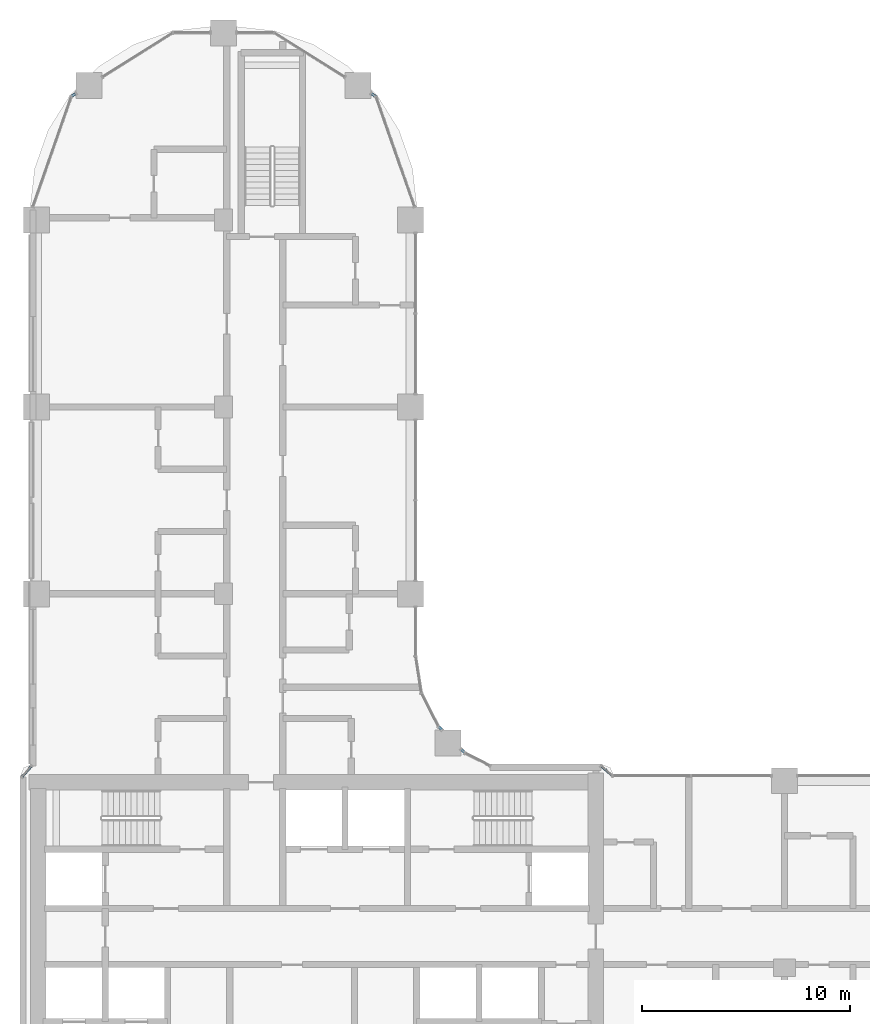
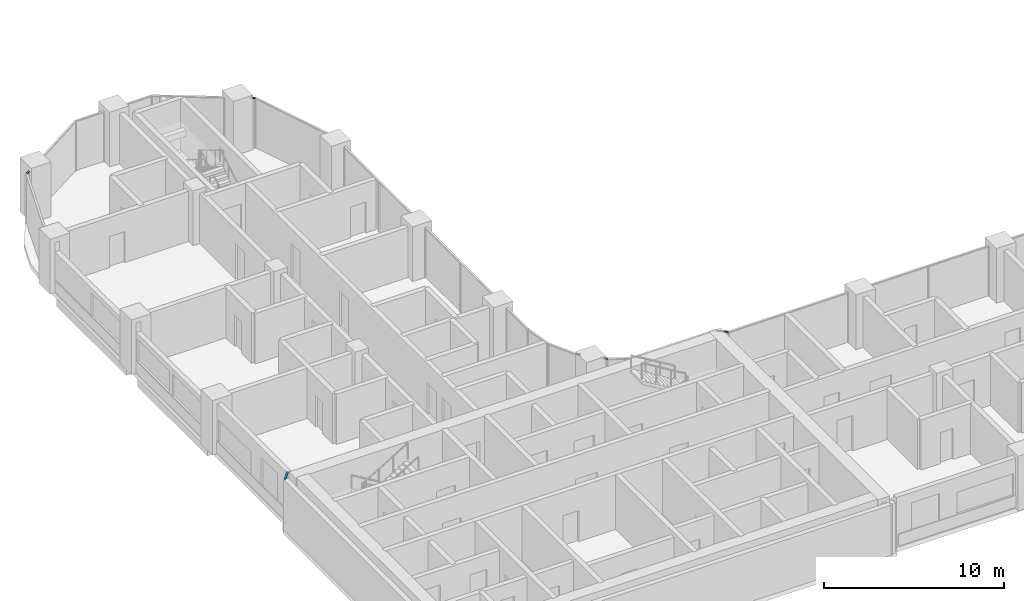
# One storey, part 10 of 33: 6 members, 6 elements without a shape of their own.
"""IFC4 building model written with IfcOpenShell, lengths in metres."""

from ifc_helpers import new_model, si_unit, direction, frame, origin, origin_2d, place, context, subcontext, project, spatial, rectangle, extrude, material, material_profile, profile_set, type_object, element, aggregate, save


model = new_model("IFC4")

# Units and contexts
model_context = context("Model", 3, precision=1e-05, world=origin(), true_north=direction((0.0, 1.0)))
body_context = subcontext(model_context, "Body", "Model", "MODEL_VIEW")
ifc_project = project(units=[si_unit("LENGTHUNIT", "METRE"), si_unit("AREAUNIT", "SQUARE_METRE"), si_unit("VOLUMEUNIT", "CUBIC_METRE"), si_unit("PLANEANGLEUNIT", "RADIAN"), si_unit("MASSUNIT", "GRAM", prefix="KILO")], contexts=[model_context])

# Site, building, storey
site_placement = place(None, origin())
site = spatial("IfcSite", under=ifc_project, at=site_placement, CompositionType="ELEMENT")
building_placement = place(site_placement, origin())
building = spatial("IfcBuilding", under=site, at=building_placement, Name="Ogive Portal Towers", CompositionType="ELEMENT")
storey_placement = place(building_placement, frame((0.0, 0.0, 101.89990234375)))
storey = spatial("IfcBuildingStorey", under=building, at=storey_placement, Name="L24", CompositionType="ELEMENT", Elevation=101.89990234375)

# Curtain wall, member
ifc_material_1 = material(Name="Glass, clear low-iron insulated glazing", Category="glass")
curtain_wall_type = type_object("IfcCurtainWallType", Name="CW FRONT RIBBON 4500", PredefinedType="NOTDEFINED", material=ifc_material_1)
curtain_wall_1_placement = place(storey_placement, origin())
curtain_wall_1 = element("IfcCurtainWall", 1, at=curtain_wall_1_placement, inside=storey, type_object=curtain_wall_type, Name="A:L24:f00:cwa", PredefinedType="NOTDEFINED")
ifc_material_2 = material(Name="Aluminium 6063 anodised", Category="aluminium")
ifc_material_profile = material_profile(ifc_material_2, rectangle(XDim=0.1201171875, YDim=0.06005859375, at=origin_2d()), Name="AL 120x60")
ifc_profile_set = profile_set([ifc_material_profile], Name="Aluminium 6063 anodised")
member_type = type_object("IfcMemberType", Name="CW TRANSOM 60x120", PredefinedType="USERDEFINED", material=ifc_profile_set)
member_1_placement = place(storey_placement, frame((59.22021484375, 39.739990234375, 3.3701171875), z_axis=(-0.753611342808, 0.657320275049, 0.0), x_axis=(-0.657320275049, -0.753611342808, 0.0)))
member_1 = element("IfcMember", 2, at=member_1_placement, type_object=member_type, Name="transom", ObjectType="TRANSOM", PredefinedType="USERDEFINED", context=body_context, shape_type="SweptSolid", body=[
    extrude(rectangle(XDim=0.1201171875, YDim=0.06005859375, at=origin_2d()), origin(), (0.0, 0.0, 1.0), 0.730224609375),
])
aggregate(curtain_wall_1, [member_1])

curtain_wall_2_placement = place(storey_placement, origin())
curtain_wall_2 = element("IfcCurtainWall", 3, at=curtain_wall_2_placement, inside=storey, type_object=curtain_wall_type, Name="A:L24:f02:cwa~0", PredefinedType="NOTDEFINED")
member_2_placement = place(storey_placement, frame((52.11376953125, 40.83935546875, 3.3701171875), z_axis=(-0.707106781187, 0.707106781187, 0.0), x_axis=(-0.707106781187, -0.707106781187, 0.0)))
member_2 = element("IfcMember", 4, at=member_2_placement, type_object=member_type, Name="transom", ObjectType="TRANSOM", PredefinedType="USERDEFINED", context=body_context, shape_type="SweptSolid", body=[
    extrude(rectangle(XDim=0.1201171875, YDim=0.06005859375, at=origin_2d()), origin(), (0.0, 0.0, 1.0), 0.252685546875),
])
aggregate(curtain_wall_2, [member_2])

curtain_wall_3_placement = place(storey_placement, origin())
curtain_wall_3 = element("IfcCurtainWall", 5, at=curtain_wall_3_placement, inside=storey, type_object=curtain_wall_type, Name="A:L24:f02:cwa~1", PredefinedType="NOTDEFINED")
member_3_placement = place(storey_placement, frame((51.01806640625, 41.93505859375, 3.3701171875), z_axis=(-0.707106781187, 0.707106781187, 0.0), x_axis=(-0.707106781187, -0.707106781187, 0.0)))
member_3 = element("IfcMember", 6, at=member_3_placement, type_object=member_type, Name="transom", ObjectType="TRANSOM", PredefinedType="USERDEFINED", context=body_context, shape_type="SweptSolid", body=[
    extrude(rectangle(XDim=0.1201171875, YDim=0.06005859375, at=origin_2d()), origin(), (0.0, 0.0, 1.0), 0.252685546875),
])
aggregate(curtain_wall_3, [member_3])

curtain_wall_4_placement = place(storey_placement, origin())
curtain_wall_4 = element("IfcCurtainWall", 7, at=curtain_wall_4_placement, inside=storey, type_object=curtain_wall_type, Name="A:L24:f07:cwa~0", PredefinedType="NOTDEFINED")
member_4_placement = place(storey_placement, frame((47.82958984375, 72.4462890625, 3.3701171875), z_axis=(-0.846843256455, 0.531842550946, 0.0), x_axis=(-0.531842550946, -0.846843256455, 0.0)))
member_4 = element("IfcMember", 8, at=member_4_placement, type_object=member_type, Name="transom", ObjectType="TRANSOM", PredefinedType="USERDEFINED", context=body_context, shape_type="SweptSolid", body=[
    extrude(rectangle(XDim=0.1201171875, YDim=0.06005859375, at=origin_2d()), origin(), (0.0, 0.0, 1.0), 0.273681640625),
])
aggregate(curtain_wall_4, [member_4])

curtain_wall_5_placement = place(storey_placement, origin())
curtain_wall_5 = element("IfcCurtainWall", 9, at=curtain_wall_5_placement, inside=storey, type_object=curtain_wall_type, Name="A:L24:f07:cwa~3", PredefinedType="NOTDEFINED")
member_5_placement = place(storey_placement, frame((33.402099609375, 72.591796875, 3.3701171875), z_axis=(-0.846843256455, -0.531842550946, 0.0), x_axis=(0.531842550946, -0.846843256455, 0.0)))
member_5 = element("IfcMember", 10, at=member_5_placement, type_object=member_type, Name="transom", ObjectType="TRANSOM", PredefinedType="USERDEFINED", context=body_context, shape_type="SweptSolid", body=[
    extrude(rectangle(XDim=0.1201171875, YDim=0.06005859375, at=origin_2d()), origin(), (0.0, 0.0, 1.0), 0.273681640625),
])
aggregate(curtain_wall_5, [member_5])

curtain_wall_6_placement = place(storey_placement, origin())
curtain_wall_6 = element("IfcCurtainWall", 11, at=curtain_wall_6_placement, inside=storey, type_object=curtain_wall_type, Name="A:L24:f13:cwa", PredefinedType="NOTDEFINED")
member_6_placement = place(storey_placement, frame((31.260009765625, 40.22021484375, 3.3701171875), z_axis=(-0.657320275049, -0.753611342808, 0.0), x_axis=(0.753611342808, -0.657320275049, 0.0)))
member_6 = element("IfcMember", 12, at=member_6_placement, type_object=member_type, Name="transom", ObjectType="TRANSOM", PredefinedType="USERDEFINED", context=body_context, shape_type="SweptSolid", body=[
    extrude(rectangle(XDim=0.1201171875, YDim=0.06005859375, at=origin_2d()), origin(), (0.0, 0.0, 1.0), 0.730224609375),
])
aggregate(curtain_wall_6, [member_6])

save(model, "model.ifc")
